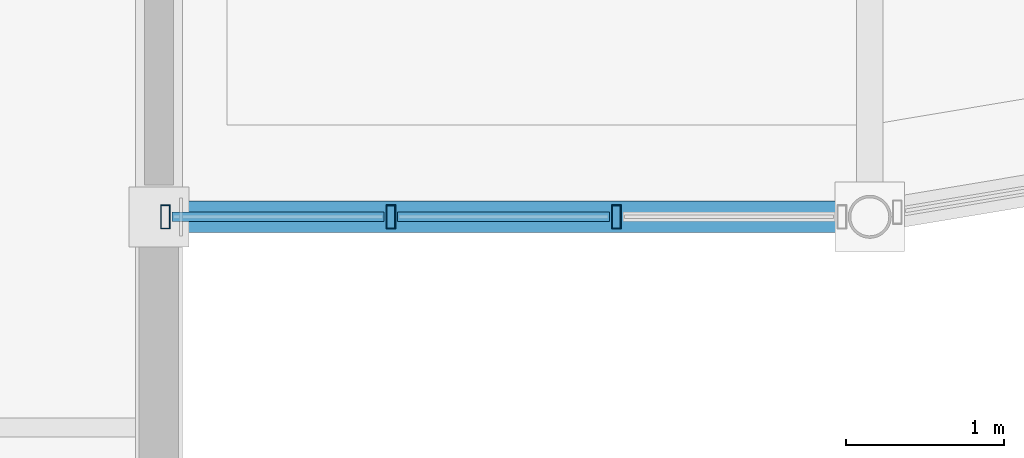
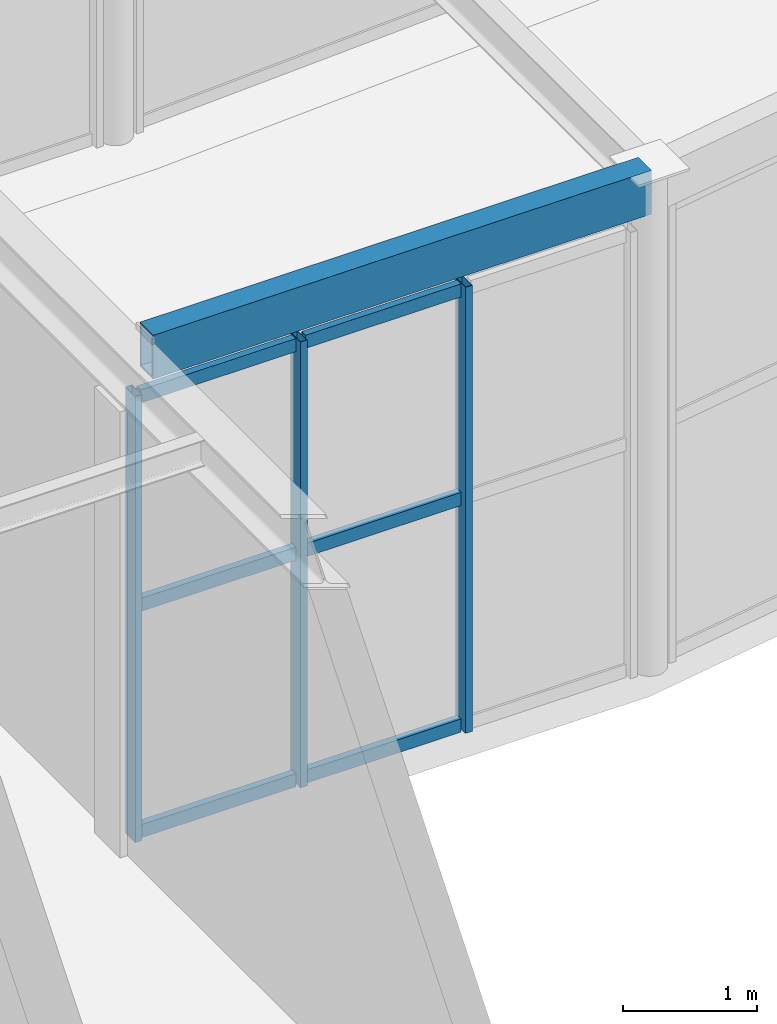
# One storey, part 18 of 100: 9 members, 1 beam, 1 element without a shape of its own.
"""IFC4 building model written with IfcOpenShell, lengths in metres."""

from ifc_helpers import new_model, si_unit, direction, frame, origin, origin_2d, place, context, subcontext, project, spatial, hollow_rectangle, extrude, material, material_profile, profile_set, type_object, element, aggregate, save


model = new_model("IFC4")

# Units and contexts
model_context = context("Model", 3, precision=1e-05, world=origin(), true_north=direction((0.0, 1.0)))
body_context = subcontext(model_context, "Body", "Model", "MODEL_VIEW")
ifc_project = project(units=[si_unit("LENGTHUNIT", "METRE"), si_unit("AREAUNIT", "SQUARE_METRE"), si_unit("VOLUMEUNIT", "CUBIC_METRE"), si_unit("PLANEANGLEUNIT", "RADIAN"), si_unit("MASSUNIT", "GRAM", prefix="KILO")], contexts=[model_context])

# Site, building, storey
site_placement = place(None, origin())
site = spatial("IfcSite", under=ifc_project, at=site_placement, CompositionType="ELEMENT")
building_placement = place(site_placement, origin())
building = spatial("IfcBuilding", under=site, at=building_placement, Name="Tarnveldt Headland Concert Hall", CompositionType="ELEMENT")
storey_placement = place(building_placement, frame((0.0, 0.0, 4.800048828125)))
storey = spatial("IfcBuildingStorey", under=building, at=storey_placement, Name="L01", CompositionType="ELEMENT", Elevation=4.800048828125)

# Curtain wall, members
ifc_material_1 = material(Name="Marine-anodised aluminium EN AW-6063-T6", Category="aluminium")
curtain_wall_type = type_object("IfcCurtainWallType", Name="CW-L2", PredefinedType="NOTDEFINED", material=ifc_material_1)
curtain_wall_placement = place(storey_placement, origin())
curtain_wall = element("IfcCurtainWall", 1, at=curtain_wall_placement, inside=storey, type_object=curtain_wall_type, Name="Curtain wall CW-L01-172", PredefinedType="NOTDEFINED")
ifc_material_profile_1 = material_profile(ifc_material_1, hollow_rectangle(XDim=0.06005859375, YDim=0.14990234375, WallThickness=0.00390625, at=origin_2d()), Name="ALU MULLION 60x150x4", Category="aluminium")
ifc_profile_set_1 = profile_set([ifc_material_profile_1], Name="Marine-anodised aluminium EN AW-6063-T6")
member_type_1 = type_object("IfcMemberType", Name="ML-150", PredefinedType="MULLION", material=ifc_profile_set_1)
member_1_placement = place(storey_placement, frame((44.5400390625, 30.0, 0.0), z_axis=(0.0, 0.0, 1.0), x_axis=(1.0, 0.0, 0.0)))
member_1 = element("IfcMember", 2, at=member_1_placement, type_object=member_type_1, Name="Mullion CW-L01-172-1", PredefinedType="MULLION", context=body_context, shape_type="SweptSolid", body=[
    extrude(hollow_rectangle(XDim=0.06005859375, YDim=0.14990234375, WallThickness=0.00390625, at=origin_2d()), origin(), (0.0, 0.0, 1.0), 4.077880859375),
])
member_2_placement = place(storey_placement, frame((45.9677734375, 30.0, 0.0), z_axis=(0.0, 0.0, 1.0), x_axis=(1.0, 0.0, 0.0)))
member_2 = element("IfcMember", 3, at=member_2_placement, type_object=member_type_1, Name="Mullion CW-L01-172-2", PredefinedType="MULLION", context=body_context, shape_type="SweptSolid", body=[
    extrude(hollow_rectangle(XDim=0.06005859375, YDim=0.14990234375, WallThickness=0.00390625, at=origin_2d()), origin(), (0.0, 0.0, 1.0), 4.077880859375),
])
member_3_placement = place(storey_placement, frame((47.395751953125, 30.0, 0.0), z_axis=(0.0, 0.0, 1.0), x_axis=(1.0, 0.0, 0.0)))
member_3 = element("IfcMember", 4, at=member_3_placement, type_object=member_type_1, Name="Mullion CW-L01-172-3", PredefinedType="MULLION", context=body_context, shape_type="SweptSolid", body=[
    extrude(hollow_rectangle(XDim=0.06005859375, YDim=0.14990234375, WallThickness=0.00390625, at=origin_2d()), origin(), (0.0, 0.0, 1.0), 4.077880859375),
])

# Beam
ifc_material_2 = material(Name="Steel S355", Category="steel")
ifc_material_profile_2 = material_profile(ifc_material_2, hollow_rectangle(XDim=0.199951171875, YDim=0.39990234375, WallThickness=0.01611328125, at=origin_2d()), Name="RHS 400x200x16", Category="steel")
ifc_profile_set_2 = profile_set([ifc_material_profile_2], Name="Steel S355")
beam_type = type_object("IfcBeamType", Name="SB-RHS400", PredefinedType="BEAM", material=ifc_profile_set_2)
beam_placement = place(storey_placement, frame((44.64990234375, 30.0, 4.405029296875), z_axis=(1.0, 0.0, 0.0), x_axis=(0.0, 1.0, 0.0)))
element("IfcBeam", 5, at=beam_placement, inside=storey, type_object=beam_type, Name="Framing beam L01-912", PredefinedType="BEAM", context=body_context, shape_type="SweptSolid", body=[
    extrude(hollow_rectangle(XDim=0.199951171875, YDim=0.39990234375, WallThickness=0.01611328125, at=origin_2d()), origin(), (0.0, 0.0, 1.0), 4.31005859375),
])

# Member
ifc_material_profile_3 = material_profile(ifc_material_1, hollow_rectangle(XDim=0.06005859375, YDim=0.1201171875, WallThickness=0.00390625, at=origin_2d()), Name="ALU TRANSOM 60x120x4", Category="aluminium")
ifc_profile_set_3 = profile_set([ifc_material_profile_3], Name="Marine-anodised aluminium EN AW-6063-T6")
member_type_2 = type_object("IfcMemberType", Name="TR-110", PredefinedType="MEMBER", material=ifc_profile_set_3)
member_4_placement = place(storey_placement, frame((44.58203125, 30.0, 0.050048828125), z_axis=(1.0, 0.0, 0.0), x_axis=(0.0, 1.0, 0.0)))
member_4 = element("IfcMember", 6, at=member_4_placement, type_object=member_type_2, Name="Transom CW-L01-172-1-1", PredefinedType="MEMBER", context=body_context, shape_type="SweptSolid", body=[
    extrude(hollow_rectangle(XDim=0.06005859375, YDim=0.1201171875, WallThickness=0.00390625, at=origin_2d()), origin(), (0.0, 0.0, 1.0), 1.34375),
])

member_5_placement = place(storey_placement, frame((44.58203125, 30.0, 2.12060546875), z_axis=(1.0, 0.0, 0.0), x_axis=(0.0, 1.0, 0.0)))
member_5 = element("IfcMember", 7, at=member_5_placement, type_object=member_type_2, Name="Transom CW-L01-172-1-2", PredefinedType="MEMBER", context=body_context, shape_type="SweptSolid", body=[
    extrude(hollow_rectangle(XDim=0.06005859375, YDim=0.1201171875, WallThickness=0.00390625, at=origin_2d()), origin(), (0.0, 0.0, 1.0), 1.34375),
])

member_6_placement = place(storey_placement, frame((44.58203125, 30.0, 4.02783203125), z_axis=(1.0, 0.0, 0.0), x_axis=(0.0, 1.0, 0.0)))
member_6 = element("IfcMember", 8, at=member_6_placement, type_object=member_type_2, Name="Transom CW-L01-172-1-3", PredefinedType="MEMBER", context=body_context, shape_type="SweptSolid", body=[
    extrude(hollow_rectangle(XDim=0.06005859375, YDim=0.1201171875, WallThickness=0.00390625, at=origin_2d()), origin(), (0.0, 0.0, 1.0), 1.34375),
])

member_7_placement = place(storey_placement, frame((46.009765625, 30.0, 0.050048828125), z_axis=(1.0, 0.0, 0.0), x_axis=(0.0, 1.0, 0.0)))
member_7 = element("IfcMember", 9, at=member_7_placement, type_object=member_type_2, Name="Transom CW-L01-172-2-1", PredefinedType="MEMBER", context=body_context, shape_type="SweptSolid", body=[
    extrude(hollow_rectangle(XDim=0.06005859375, YDim=0.1201171875, WallThickness=0.00390625, at=origin_2d()), origin(), (0.0, 0.0, 1.0), 1.343994140625),
])

member_8_placement = place(storey_placement, frame((46.009765625, 30.0, 2.12060546875), z_axis=(1.0, 0.0, 0.0), x_axis=(0.0, 1.0, 0.0)))
member_8 = element("IfcMember", 10, at=member_8_placement, type_object=member_type_2, Name="Transom CW-L01-172-2-2", PredefinedType="MEMBER", context=body_context, shape_type="SweptSolid", body=[
    extrude(hollow_rectangle(XDim=0.06005859375, YDim=0.1201171875, WallThickness=0.00390625, at=origin_2d()), origin(), (0.0, 0.0, 1.0), 1.343994140625),
])

member_9_placement = place(storey_placement, frame((46.009765625, 30.0, 4.02783203125), z_axis=(1.0, 0.0, 0.0), x_axis=(0.0, 1.0, 0.0)))
member_9 = element("IfcMember", 11, at=member_9_placement, type_object=member_type_2, Name="Transom CW-L01-172-2-3", PredefinedType="MEMBER", context=body_context, shape_type="SweptSolid", body=[
    extrude(hollow_rectangle(XDim=0.06005859375, YDim=0.1201171875, WallThickness=0.00390625, at=origin_2d()), origin(), (0.0, 0.0, 1.0), 1.343994140625),
])

aggregate(curtain_wall, [member_1, member_2, member_3, member_4, member_5, member_6, member_7, member_8, member_9])

save(model, "model.ifc")
